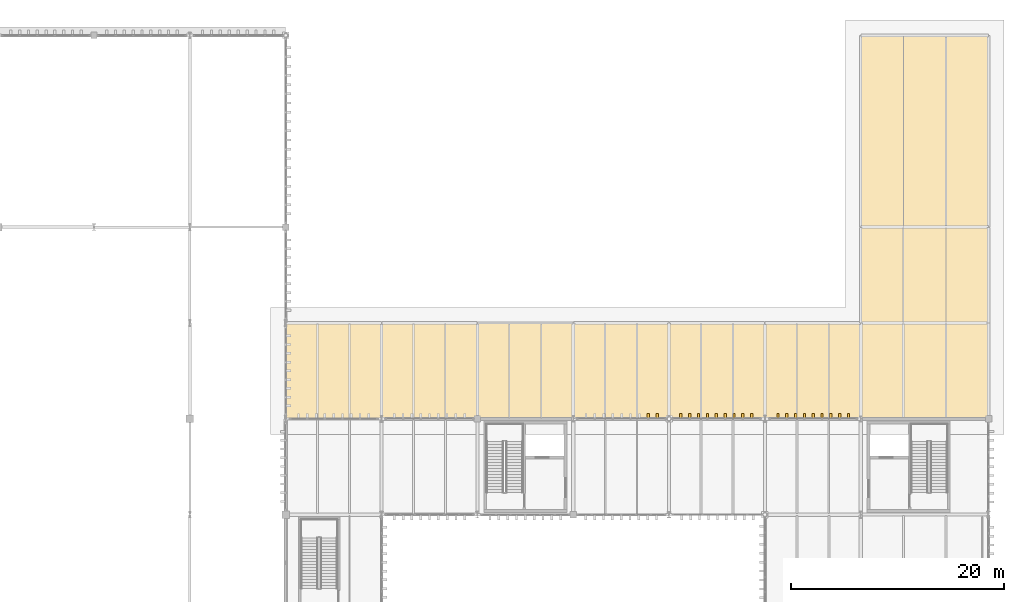
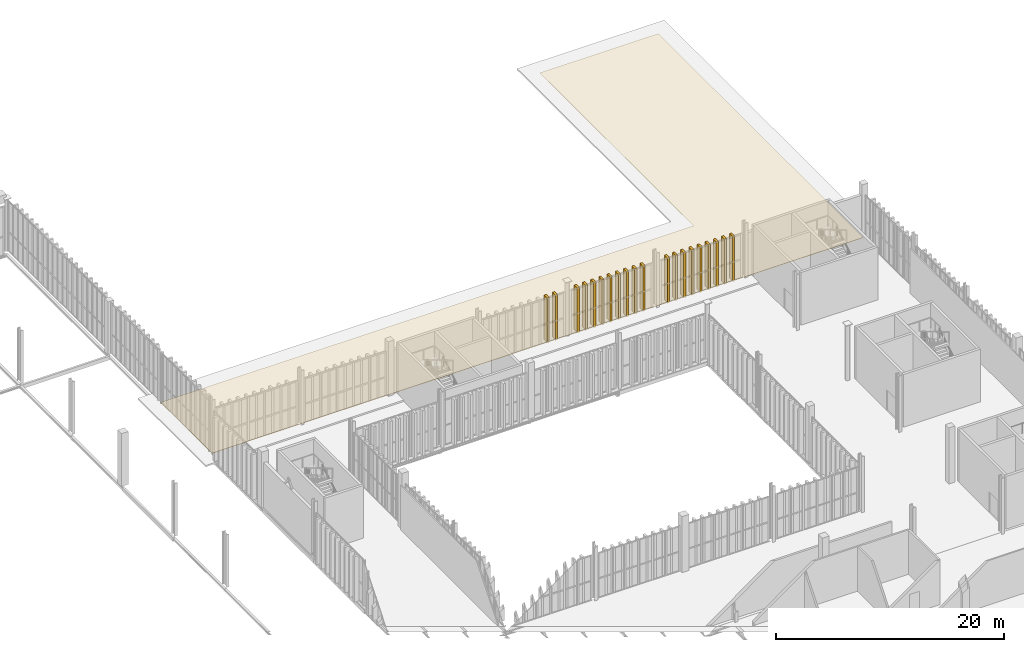
# One storey, part 233 of 237: 20 shading devices, 1 covering.
"""IFC4 building model written with IfcOpenShell, lengths in metres."""

from ifc_helpers import new_model, si_unit, direction, frame, origin, origin_2d, place, context, subcontext, project, spatial, polyline, rectangle, outline, extrude, material, layer, layer_set, type_object, element, save


model = new_model("IFC4")

# Units and contexts
model_context = context("Model", 3, precision=1e-05, world=origin(), true_north=direction((0.0, 1.0)))
body_context = subcontext(model_context, "Body", "Model", "MODEL_VIEW")
ifc_project = project(units=[si_unit("LENGTHUNIT", "METRE"), si_unit("AREAUNIT", "SQUARE_METRE"), si_unit("VOLUMEUNIT", "CUBIC_METRE"), si_unit("PLANEANGLEUNIT", "RADIAN"), si_unit("MASSUNIT", "GRAM", prefix="KILO")], contexts=[model_context])

# Site, building, storey
site_placement = place(None, origin())
site = spatial("IfcSite", under=ifc_project, at=site_placement, CompositionType="ELEMENT")
building_placement = place(site_placement, origin())
building = spatial("IfcBuilding", under=site, at=building_placement, Name="Barlavento Convention Centre", CompositionType="ELEMENT")
storey_placement = place(building_placement, frame((0.0, 0.0, 12.0)))
storey = spatial("IfcBuildingStorey", under=building, at=storey_placement, Name="L02", CompositionType="ELEMENT", Elevation=12.0)

# Covering
ifc_material_1 = material(Name="Insulated typhoon waterproof roofing membrane")
ifc_layer = layer(ifc_material_1, 0.0400390625)
ifc_layer_set = layer_set([ifc_layer], Name="ARC-COV-ROOFING-40")
covering_type = type_object("IfcCoveringType", Name="ARC-COV-ROOFING-40", PredefinedType="ROOFING", material=ifc_layer_set)
covering_placement = place(storey_placement, frame((0.0, 0.0, 0.050048828125)))
element("IfcCovering", 1, at=covering_placement, inside=storey, type_object=covering_type, Name="L02 insulated waterproof roof covering", PredefinedType="ROOFING", context=body_context, shape_type="SweptSolid", body=[
    extrude(outline(polyline([(126.0, 99.0), (192.0, 99.0), (192.0, 135.0), (180.0, 135.0), (180.0, 108.0), (126.0, 108.0), (126.0, 99.0)])), origin(), (0.0, 0.0, 1.0), 0.0400390625),
])

# Shading devices
ifc_material_2 = material(Name="PVDF white extruded aluminium", Category="aluminium")
shading_device_type = type_object("IfcShadingDeviceType", Name="ARC-SHD-FIN-480", PredefinedType="USERDEFINED", material=ifc_material_2)
for number, where, z_axis, x_axis, name in (
    (2, (160.052490234375, 99.239990234375, 0.0), (0.0, 0.0, 1.0), (1.0, 0.0, 0.0), "White vertical solar shading fin VF01"),
    (3, (160.8896484375, 99.239990234375, 0.0), (0.0, 0.0, 1.0), (1.0, 0.0, 0.0), "White vertical solar shading fin VF01"),
    (4, (163.10546875, 99.239990234375, 0.0), (0.0, 0.0, 1.0), (1.0, 0.0, 0.0), "White vertical solar shading fin VF01"),
    (5, (163.937744140625, 99.239990234375, 0.0), (0.0, 0.0, 1.0), (1.0, 0.0, 0.0), "White vertical solar shading fin VF01"),
    (6, (164.77001953125, 99.239990234375, 0.0), (0.0, 0.0, 1.0), (1.0, 0.0, 0.0), "White vertical solar shading fin VF01"),
    (7, (165.602294921875, 99.239990234375, 0.0), (0.0, 0.0, 1.0), (1.0, 0.0, 0.0), "White vertical solar shading fin VF01"),
    (8, (166.4345703125, 99.239990234375, 0.0), (0.0, 0.0, 1.0), (1.0, 0.0, 0.0), "White vertical solar shading fin VF01"),
    (9, (167.266845703125, 99.239990234375, 0.0), (0.0, 0.0, 1.0), (1.0, 0.0, 0.0), "White vertical solar shading fin VF01"),
    (10, (168.09912109375, 99.239990234375, 0.0), (0.0, 0.0, 1.0), (1.0, 0.0, 0.0), "White vertical solar shading fin VF01"),
    (11, (168.931396484375, 99.239990234375, 0.0), (0.0, 0.0, 1.0), (1.0, 0.0, 0.0), "White vertical solar shading fin VF01"),
    (12, (169.763671875, 99.239990234375, 0.0), (0.0, 0.0, 1.0), (1.0, 0.0, 0.0), "White vertical solar shading fin VF01"),
    (13, (172.23046875, 99.239990234375, 0.0), (0.0, 0.0, 1.0), (1.0, 0.0, 0.0), "White vertical solar shading fin VF01"),
    (14, (173.056884765625, 99.239990234375, 0.0), (0.0, 0.0, 1.0), (1.0, 0.0, 0.0), "White vertical solar shading fin VF01"),
    (15, (173.88330078125, 99.239990234375, 0.0), (0.0, 0.0, 1.0), (1.0, 0.0, 0.0), "White vertical solar shading fin VF01"),
    (16, (174.709716796875, 99.239990234375, 0.0), (0.0, 0.0, 1.0), (1.0, 0.0, 0.0), "White vertical solar shading fin VF01"),
    (17, (175.535888671875, 99.239990234375, 0.0), (0.0, 0.0, 1.0), (1.0, 0.0, 0.0), "White vertical solar shading fin VF01"),
    (18, (176.3623046875, 99.239990234375, 0.0), (0.0, 0.0, 1.0), (1.0, 0.0, 0.0), "White vertical solar shading fin VF01"),
    (19, (177.188720703125, 99.239990234375, 0.0), (0.0, 0.0, 1.0), (1.0, 0.0, 0.0), "White vertical solar shading fin VF01"),
    (20, (178.01513671875, 99.239990234375, 0.0), (0.0, 0.0, 1.0), (1.0, 0.0, 0.0), "White vertical solar shading fin VF01"),
    (21, (178.841552734375, 99.239990234375, 0.0), (0.0, 0.0, 1.0), (1.0, 0.0, 0.0), "White vertical solar shading fin VF01"),
):
    element("IfcShadingDevice", number, at=place(storey_placement, frame(where, z_axis=z_axis, x_axis=x_axis)), inside=storey, type_object=shading_device_type, Name=name, ObjectType="FIN", PredefinedType="USERDEFINED", context=body_context, shape_type="SweptSolid", body=[
        extrude(rectangle(XDim=0.219970703125, YDim=0.52001953125, at=origin_2d()), origin(), (0.0, 0.0, 1.0), 4.85009765625),
    ])

save(model, "model.ifc")
